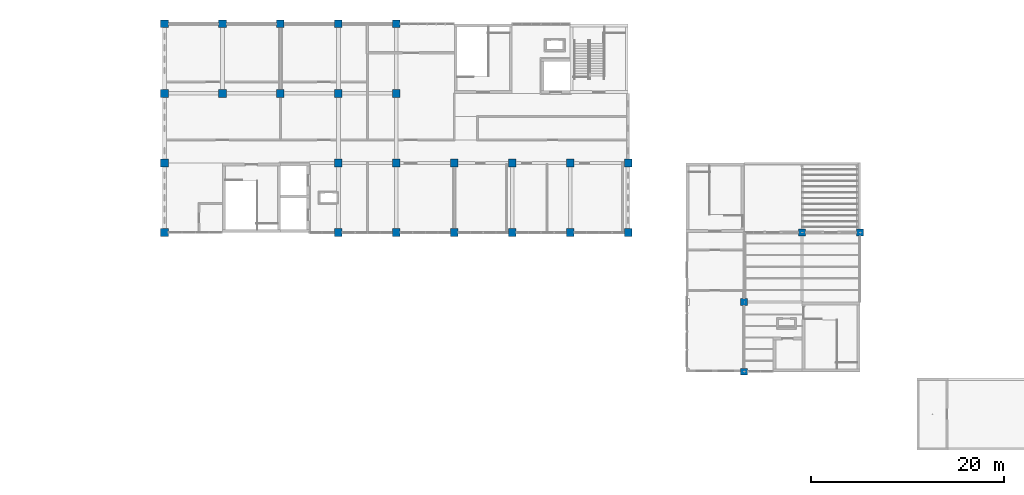
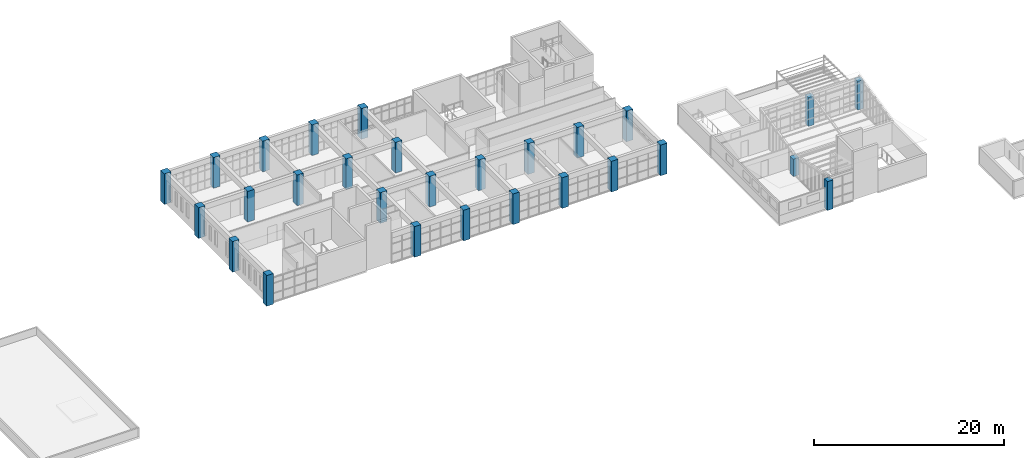
# One storey, part 1 of 51: 28 columns.
"""IFC4 building model written with IfcOpenShell, lengths in metres."""

from ifc_helpers import new_model, si_unit, direction, frame, origin, origin_2d, place, context, subcontext, project, spatial, rectangle, extrude, material, material_profile, profile_set, type_object, element, save


model = new_model("IFC4")

# Units and contexts
model_context = context("Model", 3, precision=1e-05, world=origin(), true_north=direction((0.0, 1.0)))
body_context = subcontext(model_context, "Body", "Model", "MODEL_VIEW")
ifc_project = project(units=[si_unit("LENGTHUNIT", "METRE"), si_unit("AREAUNIT", "SQUARE_METRE"), si_unit("VOLUMEUNIT", "CUBIC_METRE"), si_unit("PLANEANGLEUNIT", "RADIAN"), si_unit("MASSUNIT", "GRAM", prefix="KILO")], contexts=[model_context])

# Site, building, storey
site_placement = place(None, origin())
site = spatial("IfcSite", under=ifc_project, at=site_placement, CompositionType="ELEMENT")
building_placement = place(site_placement, origin())
building = spatial("IfcBuilding", under=site, at=building_placement, Name="Laocheng Heights Fire and Rescue Headquarters", CompositionType="ELEMENT")
storey_placement = place(building_placement, frame((0.0, 0.0, 21.0)))
storey = spatial("IfcBuildingStorey", under=building, at=storey_placement, Name="L05", CompositionType="ELEMENT", Elevation=21.0)

# Columns
ifc_material_1 = material(Name="Concrete C40", Category="concrete")
ifc_material_profile_1 = material_profile(ifc_material_1, rectangle(XDim=0.699951171875, YDim=0.699951171875, at=origin_2d()), Name="RC COLUMN 700x700 C40 CREW")
ifc_profile_set_1 = profile_set([ifc_material_profile_1], Name="Concrete C40")
column_type_1 = type_object("IfcColumnType", Name="RC COLUMN 700x700 C40 CREW", PredefinedType="COLUMN", material=ifc_profile_set_1)
column_1_placement = place(storey_placement, frame((96.0, 36.0, 0.0), z_axis=(0.0, 0.0, 1.0), x_axis=(1.0, 0.0, 0.0)))
element("IfcColumn", 1, at=column_1_placement, inside=storey, type_object=column_type_1, Name="Crew column L05 96/36", PredefinedType="COLUMN", context=body_context, shape_type="SweptSolid", body=[
    extrude(rectangle(XDim=0.699951171875, YDim=0.699951171875, at=origin_2d()), origin(), (0.0, 0.0, 1.0), 3.71435546875),
])
column_2_placement = place(storey_placement, frame((96.0, 43.199951171875, 0.0), z_axis=(0.0, 0.0, 1.0), x_axis=(1.0, 0.0, 0.0)))
element("IfcColumn", 2, at=column_2_placement, inside=storey, type_object=column_type_1, Name="Crew column L05 96/43.2", PredefinedType="COLUMN", context=body_context, shape_type="SweptSolid", body=[
    extrude(rectangle(XDim=0.699951171875, YDim=0.699951171875, at=origin_2d()), origin(), (0.0, 0.0, 1.0), 2.247314453125),
])
for number, where, z_axis, x_axis, name in (
    (3, (102.0, 50.39990234375, 0.0), (0.0, 0.0, 1.0), (1.0, 0.0, 0.0), "Crew column L05 102/50.4"),
    (4, (108.0, 50.39990234375, 0.0), (0.0, 0.0, 1.0), (1.0, 0.0, 0.0), "Crew column L05 108/50.4"),
):
    element("IfcColumn", number, at=place(storey_placement, frame(where, z_axis=z_axis, x_axis=x_axis)), inside=storey, type_object=column_type_1, Name=name, PredefinedType="COLUMN", context=body_context, shape_type="SweptSolid", body=[
        extrude(rectangle(XDim=0.699951171875, YDim=0.699951171875, at=origin_2d()), origin(), (0.0, 0.0, 1.0), 3.71435546875),
    ])
ifc_material_2 = material(Name="Concrete C40", Category="concrete")
ifc_material_profile_2 = material_profile(ifc_material_2, rectangle(XDim=0.800048828125, YDim=0.800048828125, at=origin_2d()), Name="RC COLUMN 800x800 C40 HQ")
ifc_profile_set_2 = profile_set([ifc_material_profile_2], Name="Concrete C40")
column_type_2 = type_object("IfcColumnType", Name="RC COLUMN 800x800 C40 HQ", PredefinedType="COLUMN", material=ifc_profile_set_2)
for number, where, z_axis, x_axis, name in (
    (5, (36.0, 50.39990234375, 0.0), (0.0, 0.0, 1.0), (1.0, 0.0, 0.0), "HQ column L05 36/50.4"),
    (6, (54.0, 50.39990234375, 0.0), (0.0, 0.0, 1.0), (1.0, 0.0, 0.0), "HQ column L05 54/50.4"),
    (7, (60.0, 50.39990234375, 0.0), (0.0, 0.0, 1.0), (1.0, 0.0, 0.0), "HQ column L05 60/50.4"),
    (8, (66.0, 50.39990234375, 0.0), (0.0, 0.0, 1.0), (1.0, 0.0, 0.0), "HQ column L05 66/50.4"),
    (9, (72.0, 50.39990234375, 0.0), (0.0, 0.0, 1.0), (1.0, 0.0, 0.0), "HQ column L05 72/50.4"),
    (10, (78.0, 50.39990234375, 0.0), (0.0, 0.0, 1.0), (1.0, 0.0, 0.0), "HQ column L05 78/50.4"),
    (11, (84.0, 50.39990234375, 0.0), (0.0, 0.0, 1.0), (1.0, 0.0, 0.0), "HQ column L05 84/50.4"),
    (12, (36.0, 57.60009765625, 0.0), (0.0, 0.0, 1.0), (1.0, 0.0, 0.0), "HQ column L05 36/57.6"),
    (13, (54.0, 57.60009765625, 0.0), (0.0, 0.0, 1.0), (1.0, 0.0, 0.0), "HQ column L05 54/57.6"),
    (14, (60.0, 57.60009765625, 0.0), (0.0, 0.0, 1.0), (1.0, 0.0, 0.0), "HQ column L05 60/57.6"),
    (15, (66.0, 57.60009765625, 0.0), (0.0, 0.0, 1.0), (1.0, 0.0, 0.0), "HQ column L05 66/57.6"),
    (16, (72.0, 57.60009765625, 0.0), (0.0, 0.0, 1.0), (1.0, 0.0, 0.0), "HQ column L05 72/57.6"),
    (17, (78.0, 57.60009765625, 0.0), (0.0, 0.0, 1.0), (1.0, 0.0, 0.0), "HQ column L05 78/57.6"),
    (18, (84.0, 57.60009765625, 0.0), (0.0, 0.0, 1.0), (1.0, 0.0, 0.0), "HQ column L05 84/57.6"),
    (19, (36.0, 64.800048828125, 0.0), (0.0, 0.0, 1.0), (1.0, 0.0, 0.0), "HQ column L05 36/64.8"),
    (20, (42.0, 64.800048828125, 0.0), (0.0, 0.0, 1.0), (1.0, 0.0, 0.0), "HQ column L05 42/64.8"),
    (21, (48.0, 64.800048828125, 0.0), (0.0, 0.0, 1.0), (1.0, 0.0, 0.0), "HQ column L05 48/64.8"),
    (22, (54.0, 64.800048828125, 0.0), (0.0, 0.0, 1.0), (1.0, 0.0, 0.0), "HQ column L05 54/64.8"),
    (23, (60.0, 64.800048828125, 0.0), (0.0, 0.0, 1.0), (1.0, 0.0, 0.0), "HQ column L05 60/64.8"),
    (24, (36.0, 72.0, 0.0), (0.0, 0.0, 1.0), (1.0, 0.0, 0.0), "HQ column L05 36/72"),
    (25, (42.0, 72.0, 0.0), (0.0, 0.0, 1.0), (1.0, 0.0, 0.0), "HQ column L05 42/72"),
    (26, (48.0, 72.0, 0.0), (0.0, 0.0, 1.0), (1.0, 0.0, 0.0), "HQ column L05 48/72"),
    (27, (54.0, 72.0, 0.0), (0.0, 0.0, 1.0), (1.0, 0.0, 0.0), "HQ column L05 54/72"),
    (28, (60.0, 72.0, 0.0), (0.0, 0.0, 1.0), (1.0, 0.0, 0.0), "HQ column L05 60/72"),
):
    element("IfcColumn", number, at=place(storey_placement, frame(where, z_axis=z_axis, x_axis=x_axis)), inside=storey, type_object=column_type_2, Name=name, PredefinedType="COLUMN", context=body_context, shape_type="SweptSolid", body=[
        extrude(rectangle(XDim=0.800048828125, YDim=0.800048828125, at=origin_2d()), origin(), (0.0, 0.0, 1.0), 3.949951171875),
    ])

save(model, "model.ifc")
